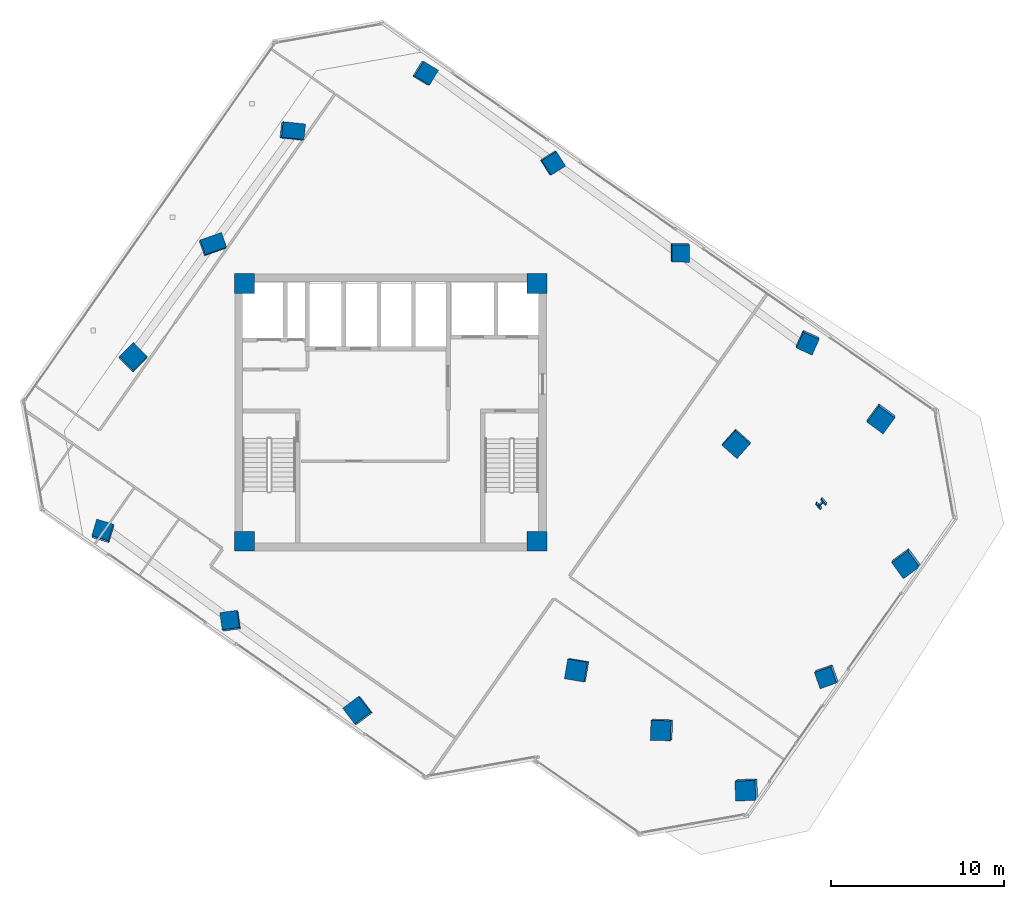
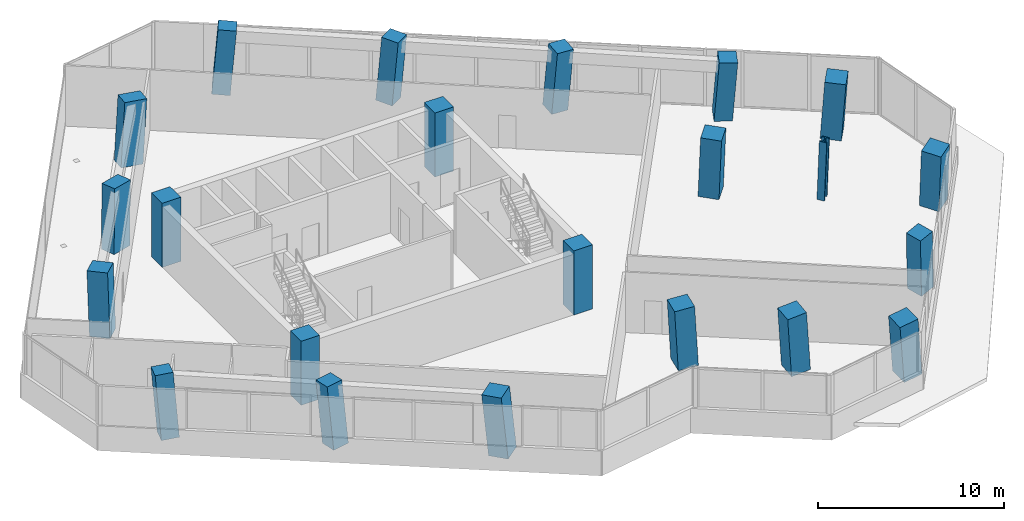
# One storey, part 1 of 22: 22 columns.
"""IFC4 building model written with IfcOpenShell, lengths in metres."""

from ifc_helpers import new_model, si_unit, direction, frame, origin, origin_2d, place, context, subcontext, project, spatial, rectangle, i_section, extrude, clip, halfspace, source, transform, mapped, material, material_profile, profile_set, type_object, element, save


model = new_model("IFC4")

# Units and contexts
model_context = context("Model", 3, precision=1e-05, world=origin(), true_north=direction((0.0, 1.0)))
body_context = subcontext(model_context, "Body", "Model", "MODEL_VIEW")
ifc_project = project(units=[si_unit("LENGTHUNIT", "METRE"), si_unit("AREAUNIT", "SQUARE_METRE"), si_unit("VOLUMEUNIT", "CUBIC_METRE"), si_unit("PLANEANGLEUNIT", "RADIAN"), si_unit("MASSUNIT", "GRAM", prefix="KILO")], contexts=[model_context])

# Site, building, storey
site_placement = place(None, origin())
site = spatial("IfcSite", under=ifc_project, at=site_placement, CompositionType="ELEMENT")
building_placement = place(site_placement, origin())
building = spatial("IfcBuilding", under=site, at=building_placement, Name="Torre Montelarca", CompositionType="ELEMENT")
storey_placement = place(building_placement, frame((0.0, 0.0, 196.0)))
storey = spatial("IfcBuildingStorey", under=building, at=storey_placement, Name="L44", CompositionType="ELEMENT", Elevation=196.0)

# Columns
ifc_material_1 = material(Name="Concrete C55/67", Category="concrete")
ifc_material_profile_1 = material_profile(ifc_material_1, rectangle(XDim=0.89990234375, YDim=1.300048828125, at=origin_2d()), Name="RC1300X900", Category="concrete")
ifc_profile_set_1 = profile_set([ifc_material_profile_1], Name="Concrete C55/67")
column_type_1 = type_object("IfcColumnType", Name="COL-PIL1300-EXT", PredefinedType="PILASTER", material=ifc_profile_set_1)
column_1_placement = place(storey_placement, frame((7.697265625, 41.664794921875, 0.0), z_axis=(0.050785311162, 0.070879385247, 0.996191229091), x_axis=(0.333075911706, -0.94157268178, 0.050013217923)))
element("IfcColumn", 1, at=column_1_placement, inside=storey, type_object=column_type_1, Name="L44 Column 1W/E", PredefinedType="PILASTER", context=body_context, shape_type="Clipping", body=[
    clip(clip(extrude(rectangle(XDim=0.89990234375, YDim=1.300048828125, at=origin_2d()), origin(), (0.0, 0.0, 1.0), 4.216064453125), halfspace(frame((0.0, 0.0, 0.06982421875), z_axis=(0.0, 0.0, -1.0), x_axis=(1.0, 0.0, 0.0)), False)), halfspace(frame((0.0, 0.0, 4.146240234375), z_axis=(0.0, 0.0, 1.0), x_axis=(1.0, 0.0, 0.0)), False)),
])
column_2_placement = place(storey_placement, frame((12.285888671875, 48.218017578125, 0.0), z_axis=(0.084357793633, 0.0466918652, 0.995340962875), x_axis=(-0.102807659943, -0.99316271262, 0.055302905149)))
element("IfcColumn", 2, at=column_2_placement, inside=storey, type_object=column_type_1, Name="L44 Column 1W/F", PredefinedType="PILASTER", context=body_context, shape_type="Clipping", body=[
    clip(clip(extrude(rectangle(XDim=0.89990234375, YDim=1.300048828125, at=origin_2d()), origin(), (0.0, 0.0, 1.0), 4.2197265625), halfspace(frame((0.0, 0.0, 0.077392578125), z_axis=(0.0, 0.0, -1.0), x_axis=(1.0, 0.0, 0.0)), False)), halfspace(frame((0.0, 0.0, 4.142333984375), z_axis=(0.0, 0.0, 1.0), x_axis=(1.0, 0.0, 0.0)), False)),
])
ifc_material_profile_2 = material_profile(ifc_material_1, rectangle(XDim=1.0, YDim=1.0, at=origin_2d()), Name="RC1000X1000", Category="concrete")
ifc_profile_set_2 = profile_set([ifc_material_profile_2], Name="Concrete C55/67")
column_type_2 = type_object("IfcColumnType", Name="COL-RC1000-EXT", PredefinedType="COLUMN", material=ifc_profile_set_2)
column_3_placement = place(storey_placement, frame((1.39501953125, 25.080322265625, 0.0), z_axis=(-0.034609084953, 0.104173923488, 0.993956741968), x_axis=(0.957118609738, -0.282771356171, 0.062962901959)))
element("IfcColumn", 3, at=column_3_placement, inside=storey, type_object=column_type_2, Name="L44 Column 2/CS", PredefinedType="COLUMN", context=body_context, shape_type="Clipping", body=[
    clip(clip(extrude(rectangle(XDim=1.0, YDim=1.0, at=origin_2d()), origin(), (0.0, 0.0, 1.0), 4.2255859375), halfspace(frame((0.0, 0.0, 0.07763671875), z_axis=(0.0, 0.0, -1.0), x_axis=(1.0, 0.0, 0.0)), False)), halfspace(frame((0.0, 0.0, 4.14794921875), z_axis=(0.0, 0.0, 1.0), x_axis=(1.0, 0.0, 0.0)), False)),
])
column_4_placement = place(storey_placement, frame((19.9501953125, 51.579833984375, 0.0), z_axis=(0.101258987267, 0.006881678746, 0.994836298089), x_axis=(-0.513759043576, -0.855957245093, 0.058213741642)))
element("IfcColumn", 4, at=column_4_placement, inside=storey, type_object=column_type_2, Name="L44 Column 2/GN", PredefinedType="COLUMN", context=body_context, shape_type="Clipping", body=[
    clip(clip(extrude(rectangle(XDim=1.0, YDim=1.0, at=origin_2d()), origin(), (0.0, 0.0, 1.0), 4.2216796875), halfspace(frame((0.0, 0.0, 0.07177734375), z_axis=(0.0, 0.0, -1.0), x_axis=(1.0, 0.0, 0.0)), False)), halfspace(frame((0.0, 0.0, 4.14990234375), z_axis=(0.0, 0.0, 1.0), x_axis=(1.0, 0.0, 0.0)), False)),
])
column_5_placement = place(storey_placement, frame((8.767578125, 19.918212890625, 0.0), z_axis=(-0.061825680858, 0.066514707216, 0.995868153377), x_axis=(0.988877780429, 0.139311449966, 0.052086997238)))
element("IfcColumn", 5, at=column_5_placement, inside=storey, type_object=column_type_2, Name="L44 Column 3/CS", PredefinedType="COLUMN", context=body_context, shape_type="Clipping", body=[
    clip(clip(extrude(rectangle(XDim=1.0, YDim=1.0, at=origin_2d()), origin(), (0.0, 0.0, 1.0), 4.21728515625), halfspace(frame((0.0, 0.0, 0.064208984375), z_axis=(0.0, 0.0, -1.0), x_axis=(1.0, 0.0, 0.0)), False)), halfspace(frame((0.0, 0.0, 4.153076171875), z_axis=(0.0, 0.0, 1.0), x_axis=(1.0, 0.0, 0.0)), False)),
])
column_6_placement = place(storey_placement, frame((27.32275390625, 46.417724609375, 0.0), z_axis=(0.074280101089, -0.030998326117, 0.996755521861), x_axis=(-0.84309265883, -0.535783006939, 0.04616641748)))
element("IfcColumn", 6, at=column_6_placement, inside=storey, type_object=column_type_2, Name="L44 Column 3/GN", PredefinedType="COLUMN", context=body_context, shape_type="Clipping", body=[
    clip(clip(extrude(rectangle(XDim=1.0, YDim=1.0, at=origin_2d()), origin(), (0.0, 0.0, 1.0), 4.213623046875), halfspace(frame((0.0, 0.0, 0.056884765625), z_axis=(0.0, 0.0, -1.0), x_axis=(1.0, 0.0, 0.0)), False)), halfspace(frame((0.0, 0.0, 4.15673828125), z_axis=(0.0, 0.0, 1.0), x_axis=(1.0, 0.0, 0.0)), False)),
])
column_7_placement = place(storey_placement, frame((34.695068359375, 41.255615234375, 0.0), z_axis=(0.047152209171, -0.068874664255, 0.996510386195), x_axis=(-0.998813718494, 0.008891928964, 0.047875769947)))
element("IfcColumn", 7, at=column_7_placement, inside=storey, type_object=column_type_2, Name="L44 Column 4/GN", PredefinedType="COLUMN", context=body_context, shape_type="Clipping", body=[
    clip(clip(extrude(rectangle(XDim=1.0, YDim=1.0, at=origin_2d()), origin(), (0.0, 0.0, 1.0), 4.214599609375), halfspace(frame((0.0, 0.0, 0.05908203125), z_axis=(0.0, 0.0, -1.0), x_axis=(1.0, 0.0, 0.0)), False)), halfspace(frame((0.0, 0.0, 4.155517578125), z_axis=(0.0, 0.0, 1.0), x_axis=(1.0, 0.0, 0.0)), False)),
])
column_8_placement = place(storey_placement, frame((42.0673828125, 36.09326171875, 0.0), z_axis=(0.019994459552, -0.106444492759, 0.994117594427), x_axis=(-0.910337692631, 0.409177424766, 0.062121819338)))
element("IfcColumn", 8, at=column_8_placement, inside=storey, type_object=column_type_2, Name="L44 Column 5/GN", PredefinedType="COLUMN", context=body_context, shape_type="Clipping", body=[
    clip(clip(extrude(rectangle(XDim=1.0, YDim=1.0, at=origin_2d()), origin(), (0.0, 0.0, 1.0), 4.224853515625), halfspace(frame((0.0, 0.0, 0.07666015625), z_axis=(0.0, 0.0, -1.0), x_axis=(1.0, 0.0, 0.0)), False)), halfspace(frame((0.0, 0.0, 4.148193359375), z_axis=(0.0, 0.0, 1.0), x_axis=(1.0, 0.0, 0.0)), False)),
])
column_9_placement = place(storey_placement, frame((43.20751953125, 16.80029296875, 0.0), z_axis=(-0.079411656934, -0.110853835822, 0.990658980592), x_axis=(-0.33501070379, 0.938962369658, 0.078214427778)))
element("IfcColumn", 9, at=column_9_placement, inside=storey, type_object=column_type_2, Name="L44 Column 7/E", PredefinedType="COLUMN", context=body_context, shape_type="Clipping", body=[
    clip(clip(extrude(rectangle(XDim=1.0, YDim=1.0, at=origin_2d()), origin(), (0.0, 0.0, 1.0), 4.239501953125), halfspace(frame((0.0, 0.0, 0.0966796875), z_axis=(0.0, 0.0, -1.0), x_axis=(1.0, 0.0, 0.0)), False)), halfspace(frame((0.0, 0.0, 4.142822265625), z_axis=(0.0, 0.0, 1.0), x_axis=(1.0, 0.0, 0.0)), False)),
])
ifc_material_profile_3 = material_profile(ifc_material_1, rectangle(XDim=1.14990234375, YDim=1.14990234375, at=origin_2d()), Name="RC1150X1150", Category="concrete")
ifc_profile_set_3 = profile_set([ifc_material_profile_3], Name="Concrete C55/67")
column_type_3 = type_object("IfcColumnType", Name="COL-RC1150", PredefinedType="COLUMN", material=ifc_profile_set_3)
column_10_placement = place(storey_placement, frame((28.7890625, 17.1298828125, 0.0), z_axis=(-0.077375189138, -0.036834296625, 0.996321391268), x_axis=(0.163888057294, 0.985253625304, 0.049152807664)))
element("IfcColumn", 10, at=column_10_placement, inside=storey, type_object=column_type_3, Name="L44 Column 5/D", PredefinedType="COLUMN", context=body_context, shape_type="Clipping", body=[
    clip(clip(extrude(rectangle(XDim=1.14990234375, YDim=1.14990234375, at=origin_2d()), origin(), (0.0, 0.0, 1.0), 4.215576171875), halfspace(frame((0.0, 0.0, 0.069580078125), z_axis=(0.0, 0.0, -1.0), x_axis=(1.0, 0.0, 0.0)), False)), halfspace(frame((0.0, 0.0, 4.14599609375), z_axis=(0.0, 0.0, 1.0), x_axis=(1.0, 0.0, 0.0)), False)),
])
column_11_placement = place(storey_placement, frame((37.96630859375, 30.236328125, 0.0), z_axis=(-0.010077327088, -0.085078123516, 0.996323321205), x_axis=(-0.746246245423, 0.663853754889, 0.049139936013)))
element("IfcColumn", 11, at=column_11_placement, inside=storey, type_object=column_type_3, Name="L44 Column 5/F", PredefinedType="COLUMN", context=body_context, shape_type="Clipping", body=[
    clip(clip(extrude(rectangle(XDim=1.14990234375, YDim=1.14990234375, at=origin_2d()), origin(), (0.0, 0.0, 1.0), 4.21533203125), halfspace(frame((0.0, 0.0, 0.069580078125), z_axis=(0.0, 0.0, -1.0), x_axis=(1.0, 0.0, 0.0)), False)), halfspace(frame((0.0, 0.0, 4.145751953125), z_axis=(0.0, 0.0, 1.0), x_axis=(1.0, 0.0, 0.0)), False)),
])
column_12_placement = place(storey_placement, frame((33.7041015625, 13.6884765625, 0.0), z_axis=(-0.095234628141, -0.061968924194, 0.993524140641), x_axis=(0.03088004258, 0.997396227548, 0.065170455291)))
element("IfcColumn", 12, at=column_12_placement, inside=storey, type_object=column_type_3, Name="L44 Column 6/D", PredefinedType="COLUMN", context=body_context, shape_type="Clipping", body=[
    clip(clip(extrude(rectangle(XDim=1.14990234375, YDim=1.14990234375, at=origin_2d()), origin(), (0.0, 0.0, 1.0), 4.227294921875), halfspace(frame((0.0, 0.0, 0.09228515625), z_axis=(0.0, 0.0, -1.0), x_axis=(1.0, 0.0, 0.0)), False)), halfspace(frame((0.0, 0.0, 4.135009765625), z_axis=(0.0, 0.0, 1.0), x_axis=(1.0, 0.0, 0.0)), False)),
])
column_13_placement = place(storey_placement, frame((46.32275390625, 31.709716796875, 0.0), z_axis=(-0.002940270602, -0.127815292631, 0.99179363064), x_axis=(-0.805852542402, 0.587557835307, 0.07333123532)))
element("IfcColumn", 13, at=column_13_placement, inside=storey, type_object=column_type_3, Name="L44 Column 6/G", PredefinedType="COLUMN", context=body_context, shape_type="Clipping", body=[
    clip(clip(extrude(rectangle(XDim=1.14990234375, YDim=1.14990234375, at=origin_2d()), origin(), (0.0, 0.0, 1.0), 4.234619140625), halfspace(frame((0.0, 0.0, 0.10400390625), z_axis=(0.0, 0.0, -1.0), x_axis=(1.0, 0.0, 0.0)), False)), halfspace(frame((0.0, 0.0, 4.130615234375), z_axis=(0.0, 0.0, 1.0), x_axis=(1.0, 0.0, 0.0)), False)),
])
ifc_material_profile_4 = material_profile(ifc_material_1, rectangle(XDim=1.14990234375, YDim=1.14990234375, at=origin_2d()), Name="RC1150X1150", Category="concrete")
ifc_profile_set_4 = profile_set([ifc_material_profile_4], Name="Concrete C55/67")
column_type_4 = type_object("IfcColumnType", Name="COL-RC1150-EXT", PredefinedType="COLUMN", material=ifc_profile_set_4)
column_14_placement = place(storey_placement, frame((16.139892578125, 14.755859375, 0.0), z_axis=(-0.088896313986, 0.028706101391, 0.995627141606), x_axis=(0.795156403411, 0.604032558961, 0.053581357112)))
element("IfcColumn", 14, at=column_14_placement, inside=storey, type_object=column_type_4, Name="L44 Column 4/CS", PredefinedType="COLUMN", context=body_context, shape_type="Clipping", body=[
    clip(clip(extrude(rectangle(XDim=1.14990234375, YDim=1.14990234375, at=origin_2d()), origin(), (0.0, 0.0, 1.0), 4.218505859375), halfspace(frame((0.0, 0.0, 0.075927734375), z_axis=(0.0, 0.0, -1.0), x_axis=(1.0, 0.0, 0.0)), False)), halfspace(frame((0.0, 0.0, 4.142578125), z_axis=(0.0, 0.0, 1.0), x_axis=(1.0, 0.0, 0.0)), False)),
])
for number, where, z_axis, x_axis, name in (
    (15, (38.618896484375, 10.2470703125, 0.0), (-0.112773771194, -0.086824296292, 0.989819992779), (-0.049860626001, 0.995414372182, 0.081634218489), "L44 Column 7/D"),
    (16, (47.796142578125, 23.353515625, 0.0), (-0.045915156715, -0.134695967257, 0.989822607738), (-0.592162125204, 0.801674232418, 0.081623786675), "L44 Column 7/F"),
):
    element("IfcColumn", number, at=place(storey_placement, frame(where, z_axis=z_axis, x_axis=x_axis)), inside=storey, type_object=column_type_4, Name=name, PredefinedType="COLUMN", context=body_context, shape_type="Clipping", body=[
        clip(clip(extrude(rectangle(XDim=1.14990234375, YDim=1.14990234375, at=origin_2d()), origin(), (0.0, 0.0, 1.0), 4.2431640625), halfspace(frame((0.0, 0.0, 0.115966796875), z_axis=(0.0, 0.0, -1.0), x_axis=(1.0, 0.0, 0.0)), False)), halfspace(frame((0.0, 0.0, 4.127197265625), z_axis=(0.0, 0.0, 1.0), x_axis=(1.0, 0.0, 0.0)), False)),
    ])
column_15_placement = place(storey_placement, frame((3.108642578125, 35.111572265625, 0.0), z_axis=(0.017126130611, 0.094888020954, 0.995340624676), x_axis=(0.704724339215, -0.707322396725, 0.055304907645)))
element("IfcColumn", 17, at=column_15_placement, inside=storey, type_object=column_type_4, Name="L44 Column 1W/D", PredefinedType="COLUMN", context=body_context, shape_type="Clipping", body=[
    clip(clip(extrude(rectangle(XDim=1.14990234375, YDim=1.14990234375, at=origin_2d()), origin(), (0.0, 0.0, 1.0), 4.2197265625), halfspace(frame((0.0, 0.0, 0.078369140625), z_axis=(0.0, 0.0, -1.0), x_axis=(1.0, 0.0, 0.0)), False)), halfspace(frame((0.0, 0.0, 4.141357421875), z_axis=(0.0, 0.0, 1.0), x_axis=(1.0, 0.0, 0.0)), False)),
])
ifc_material_2 = material(Name="Steel ASTM A992 Grade 50", Category="steel")
ifc_material_profile_5 = material_profile(ifc_material_2, i_section(OverallWidth=0.4208984375, OverallDepth=0.465087890625, WebThickness=0.044921875, FlangeThickness=0.072265625, FilletRadius=0.014892578125, at=origin_2d()), Name="W360X592", Category="steel")
ifc_profile_set_5 = profile_set([ifc_material_profile_5], Name="Steel ASTM A992 Grade 50")
column_type_5 = type_object("IfcColumnType", Name="COL-W360X592", PredefinedType="COLUMN", material=ifc_profile_set_5)
column_16_placement = place(storey_placement, frame((42.881103515625, 26.794921875, 0.0), z_axis=(-0.028010300082, -0.110077591661, 0.993528231558), x_axis=(-0.653325014586, 0.75426912398, 0.065149934211)))
element("IfcColumn", 18, at=column_16_placement, inside=storey, type_object=column_type_5, Name="L44 Column 6/F", PredefinedType="COLUMN", context=body_context, shape_type="Clipping", body=[
    clip(clip(extrude(i_section(OverallWidth=0.4208984375, OverallDepth=0.465087890625, WebThickness=0.044921875, FlangeThickness=0.072265625, FilletRadius=0.014892578125, at=origin_2d()), origin(), (0.0, 0.0, 1.0), 4.227294921875), halfspace(frame((0.0, 0.0, 0.036376953125), z_axis=(0.0, 0.0, -1.0), x_axis=(1.0, 0.0, 0.0)), False)), halfspace(frame((0.0, 0.0, 4.19091796875), z_axis=(0.0, 0.0, 1.0), x_axis=(1.0, 0.0, 0.0)), False)),
])
shared_shape = source(origin(), body_context, "Body", "SweptSolid", [
    extrude(rectangle(XDim=1.14990234375, YDim=1.14990234375, at=origin_2d()), origin(), (0.0, 0.0, 1.0), 4.198486328125),
])
for number, where, z_axis, x_axis, name in (
    (19, (9.550048828125, 24.550048828125, 0.000732421875), (0.0, 0.0, 1.0), (1.0, 0.0, 0.0), "L44 Plumb Core Corner Column 2D"),
    (20, (26.449951171875, 24.550048828125, 0.000732421875), (0.0, 0.0, 1.0), (1.0, 0.0, 0.0), "L44 Plumb Core Corner Column 4D"),
    (21, (9.550048828125, 39.449951171875, 0.000732421875), (0.0, 0.0, 1.0), (1.0, 0.0, 0.0), "L44 Plumb Core Corner Column 2F"),
    (22, (26.449951171875, 39.449951171875, 0.000732421875), (0.0, 0.0, 1.0), (1.0, 0.0, 0.0), "L44 Plumb Core Corner Column 4F"),
):
    element("IfcColumn", number, at=place(storey_placement, frame(where, z_axis=z_axis, x_axis=x_axis)), inside=storey, type_object=column_type_3, Name=name, PredefinedType="COLUMN", context=body_context, shape_type="MappedRepresentation", body=[
        mapped(shared_shape, transform((0.0, 0.0, 0.0), scale=1.0)),
    ])

save(model, "model.ifc")
